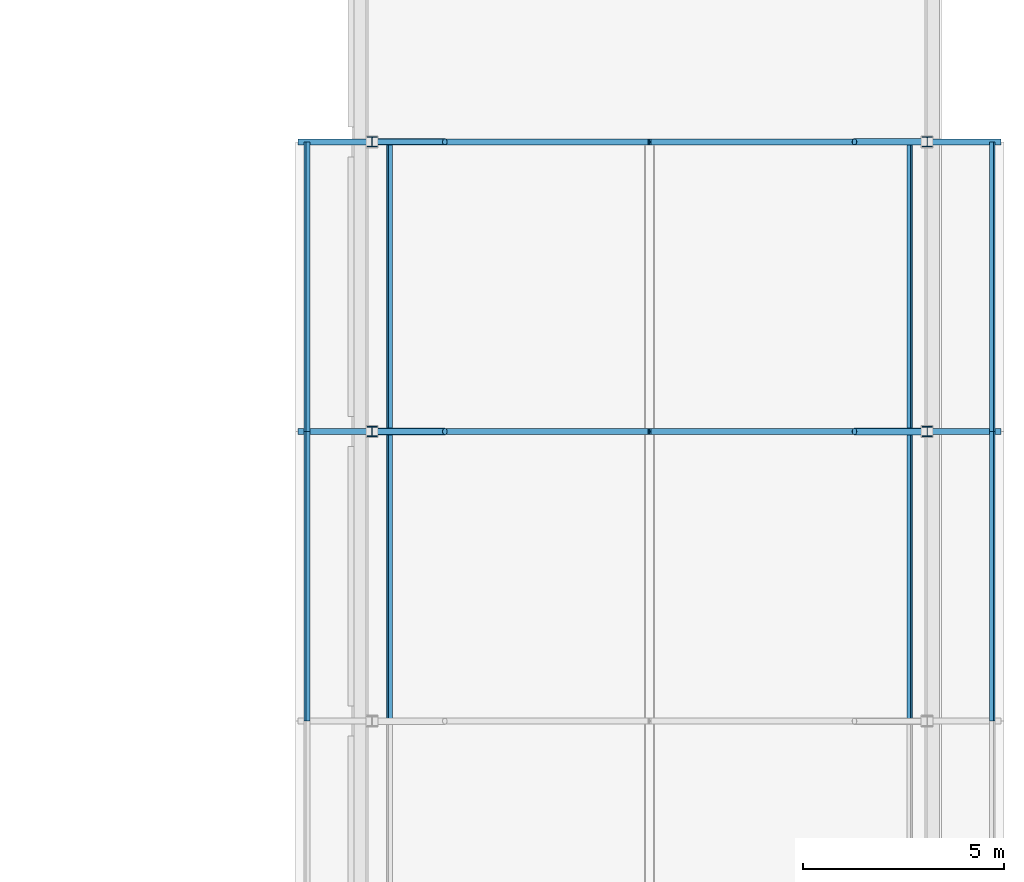
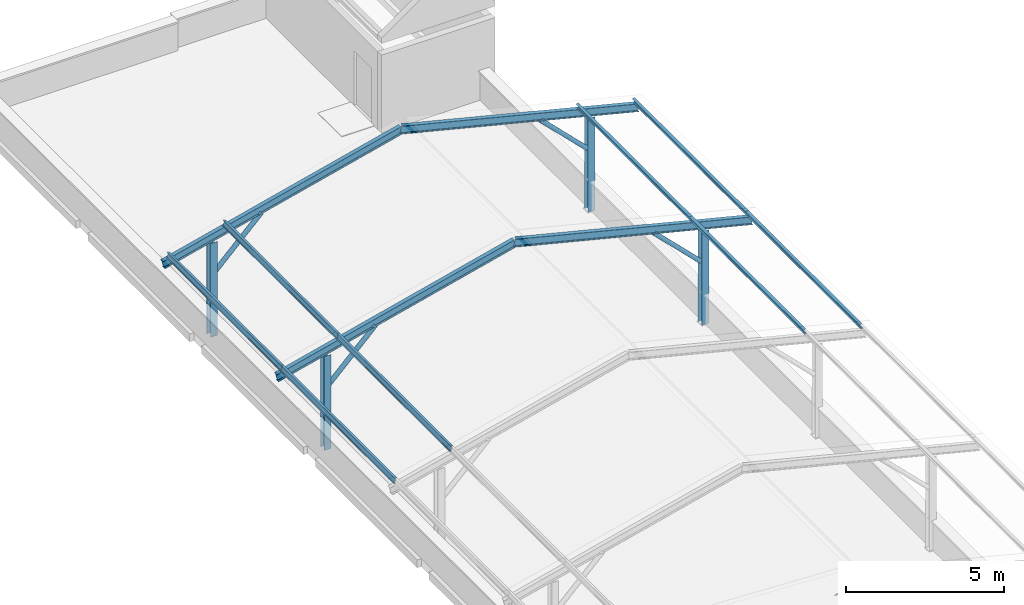
# One storey, part 16 of 30: 20 members.
"""IFC4 building model written with IfcOpenShell, lengths in metres."""

from ifc_helpers import new_model, si_unit, direction, frame, origin, origin_2d, place, context, subcontext, project, spatial, hollow_circle, i_section, extrude, material, material_profile, profile_set, type_object, element, save


model = new_model("IFC4")

# Units and contexts
model_context = context("Model", 3, precision=1e-05, world=origin(), true_north=direction((0.0, 1.0)))
body_context = subcontext(model_context, "Body", "Model", "MODEL_VIEW")
ifc_project = project(units=[si_unit("LENGTHUNIT", "METRE"), si_unit("AREAUNIT", "SQUARE_METRE"), si_unit("VOLUMEUNIT", "CUBIC_METRE"), si_unit("PLANEANGLEUNIT", "RADIAN"), si_unit("MASSUNIT", "GRAM", prefix="KILO")], contexts=[model_context])

# Site, building, storey
site_placement = place(None, origin())
site = spatial("IfcSite", under=ifc_project, at=site_placement, CompositionType="ELEMENT")
building_placement = place(site_placement, origin())
building = spatial("IfcBuilding", under=site, at=building_placement, Name="Silangan Lancet Faculty of Sciences", CompositionType="ELEMENT")
storey_placement = place(building_placement, frame((0.0, 0.0, 31.199951171875)))
storey = spatial("IfcBuildingStorey", under=building, at=storey_placement, Name="L06", CompositionType="ELEMENT", Elevation=31.199951171875)

# Members
ifc_material_1 = material(Name="Steel SS400", Category="steel")
ifc_material_profile_1 = material_profile(ifc_material_1, i_section(OverallWidth=0.25, OverallDepth=0.25, WebThickness=0.009033203125, FlangeThickness=0.013916015625, FilletRadius=0.01611328125, at=origin_2d()), Name="H 250x250x9x14")
ifc_profile_set_1 = profile_set([ifc_material_profile_1], Name="Steel SS400")
member_type_1 = type_object("IfcMemberType", Name="Canopy post H 250x250x9x14", PredefinedType="POST", material=ifc_profile_set_1)
for number, where, z_axis, x_axis, name in (
    (1, (72.300048828125, 36.0, 0.0), (0.0, 0.0, 1.0), (1.0, 0.0, 0.0), "Canopy post 6W"),
    (2, (86.10009765625, 36.0, 0.0), (0.0, 0.0, 1.0), (1.0, 0.0, 0.0), "Canopy post 6E"),
    (3, (72.300048828125, 43.199951171875, 0.0), (0.0, 0.0, 1.0), (1.0, 0.0, 0.0), "Canopy post 7W"),
    (4, (86.10009765625, 43.199951171875, 0.0), (0.0, 0.0, 1.0), (1.0, 0.0, 0.0), "Canopy post 7E"),
):
    element("IfcMember", number, at=place(storey_placement, frame(where, z_axis=z_axis, x_axis=x_axis)), inside=storey, type_object=member_type_1, Name=name, PredefinedType="POST", context=body_context, shape_type="SweptSolid", body=[
        extrude(i_section(OverallWidth=0.25, OverallDepth=0.25, WebThickness=0.009033203125, FlangeThickness=0.013916015625, FilletRadius=0.01611328125, at=origin_2d()), origin(), (0.0, 0.0, 1.0), 3.6201171875),
    ])
ifc_material_2 = material(Name="Steel SS400", Category="steel")
ifc_material_profile_2 = material_profile(ifc_material_2, i_section(OverallWidth=0.14990234375, OverallDepth=0.300048828125, WebThickness=0.006591796875, FlangeThickness=0.009033203125, FilletRadius=0.012939453125, at=origin_2d()), Name="H 300x150x6.5x9")
ifc_profile_set_2 = profile_set([ifc_material_profile_2], Name="Steel SS400")
member_type_2 = type_object("IfcMemberType", Name="Canopy rafter H 300x150x6.5x9", PredefinedType="RAFTER", material=ifc_profile_set_2)
for number, where, z_axis, x_axis, name in (
    (5, (70.5, 36.0, 3.345947265625), (0.97014089869, 0.0, 0.242542030768), (0.0, 1.0, 0.0), "Canopy rafter 6W"),
    (6, (87.89990234375, 36.0, 3.345947265625), (-0.97014089869, 0.0, 0.242542030768), (0.0, -1.0, 0.0), "Canopy rafter 6E"),
    (7, (70.5, 43.199951171875, 3.345947265625), (0.97014089869, 0.0, 0.242542030768), (0.0, 1.0, 0.0), "Canopy rafter 7W"),
    (8, (87.89990234375, 43.199951171875, 3.345947265625), (-0.97014089869, 0.0, 0.242542030768), (0.0, -1.0, 0.0), "Canopy rafter 7E"),
):
    element("IfcMember", number, at=place(storey_placement, frame(where, z_axis=z_axis, x_axis=x_axis)), inside=storey, type_object=member_type_2, Name=name, PredefinedType="RAFTER", context=body_context, shape_type="SweptSolid", body=[
        extrude(i_section(OverallWidth=0.14990234375, OverallDepth=0.300048828125, WebThickness=0.006591796875, FlangeThickness=0.009033203125, FilletRadius=0.012939453125, at=origin_2d()), origin(), (0.0, 0.0, 1.0), 8.9677734375),
    ])
ifc_material_3 = material(Name="Steel SS400", Category="steel")
ifc_material_profile_3 = material_profile(ifc_material_3, i_section(OverallWidth=0.10009765625, OverallDepth=0.199951171875, WebThickness=0.005615234375, FlangeThickness=0.008056640625, FilletRadius=0.008056640625, at=origin_2d()), Name="H 200x100x5.5x8")
ifc_profile_set_3 = profile_set([ifc_material_profile_3], Name="Steel SS400")
member_type_3 = type_object("IfcMemberType", Name="Sheeting purlin H 200x100x5.5x8", PredefinedType="PURLIN", material=ifc_profile_set_3)
for number, where, z_axis, x_axis, name in (
    (9, (70.681884765625, 28.800048828125, 3.649169921875), (0.0, 1.0, 0.0), (-0.970142502126, 0.0, 0.242535617113), "Canopy purlin 5W1"),
    (10, (72.735595703125, 28.800048828125, 4.16259765625), (0.0, 1.0, 0.0), (-0.970142502126, 0.0, 0.242535617113), "Canopy purlin 5W2"),
    (11, (87.718017578125, 28.800048828125, 3.649169921875), (0.0, 1.0, 0.0), (-0.970142502126, 0.0, -0.242535617113), "Canopy purlin 5E1"),
    (12, (85.664306640625, 28.800048828125, 4.16259765625), (0.0, 1.0, 0.0), (-0.970142502126, 0.0, -0.242535617113), "Canopy purlin 5E2"),
    (13, (70.681884765625, 36.0, 3.649169921875), (0.0, 1.0, 0.0), (-0.970142502126, 0.0, 0.242535617113), "Canopy purlin 6W1"),
    (14, (72.735595703125, 36.0, 4.16259765625), (0.0, 1.0, 0.0), (-0.970142502126, 0.0, 0.242535617113), "Canopy purlin 6W2"),
    (15, (87.718017578125, 36.0, 3.649169921875), (0.0, 1.0, 0.0), (-0.970142502126, 0.0, -0.242535617113), "Canopy purlin 6E1"),
    (16, (85.664306640625, 36.0, 4.16259765625), (0.0, 1.0, 0.0), (-0.970142502126, 0.0, -0.242535617113), "Canopy purlin 6E2"),
):
    element("IfcMember", number, at=place(storey_placement, frame(where, z_axis=z_axis, x_axis=x_axis)), inside=storey, type_object=member_type_3, Name=name, PredefinedType="PURLIN", context=body_context, shape_type="SweptSolid", body=[
        extrude(i_section(OverallWidth=0.10009765625, OverallDepth=0.199951171875, WebThickness=0.005615234375, FlangeThickness=0.008056640625, FilletRadius=0.008056640625, at=origin_2d()), origin(), (0.0, 0.0, 1.0), 7.199951171875),
    ])
ifc_material_4 = material(Name="Steel STK400", Category="steel")
ifc_material_profile_4 = material_profile(ifc_material_4, hollow_circle(Radius=0.08251953125, WallThickness=0.0048828125, at=origin_2d()), Name="CHS 165.2x5.0")
ifc_profile_set_4 = profile_set([ifc_material_profile_4], Name="Steel STK400")
member_type_4 = type_object("IfcMemberType", Name="Truss diagonal CHS 165.2x5.0", PredefinedType="BRACE", material=ifc_profile_set_4)
for number, where, z_axis, x_axis, name in (
    (17, (72.425048828125, 36.0, 2.420166015625), (0.709263675444, 0.0, 0.704943287574), (0.0, 1.0, 0.0), "Canopy knee brace 6W"),
    (18, (85.97509765625, 36.0, 2.420166015625), (-0.709263675444, 0.0, 0.704943287574), (0.0, -1.0, 0.0), "Canopy knee brace 6E"),
    (19, (72.425048828125, 43.199951171875, 2.420166015625), (0.709263675444, 0.0, 0.704943287574), (0.0, 1.0, 0.0), "Canopy knee brace 7W"),
    (20, (85.97509765625, 43.199951171875, 2.420166015625), (-0.709263675444, 0.0, 0.704943287574), (0.0, -1.0, 0.0), "Canopy knee brace 7E"),
):
    element("IfcMember", number, at=place(storey_placement, frame(where, z_axis=z_axis, x_axis=x_axis)), inside=storey, type_object=member_type_4, Name=name, PredefinedType="BRACE", context=body_context, shape_type="SweptSolid", body=[
        extrude(hollow_circle(Radius=0.08251953125, WallThickness=0.0048828125, at=origin_2d()), origin(), (0.0, 0.0, 1.0), 2.373291015625),
    ])

save(model, "model.ifc")
